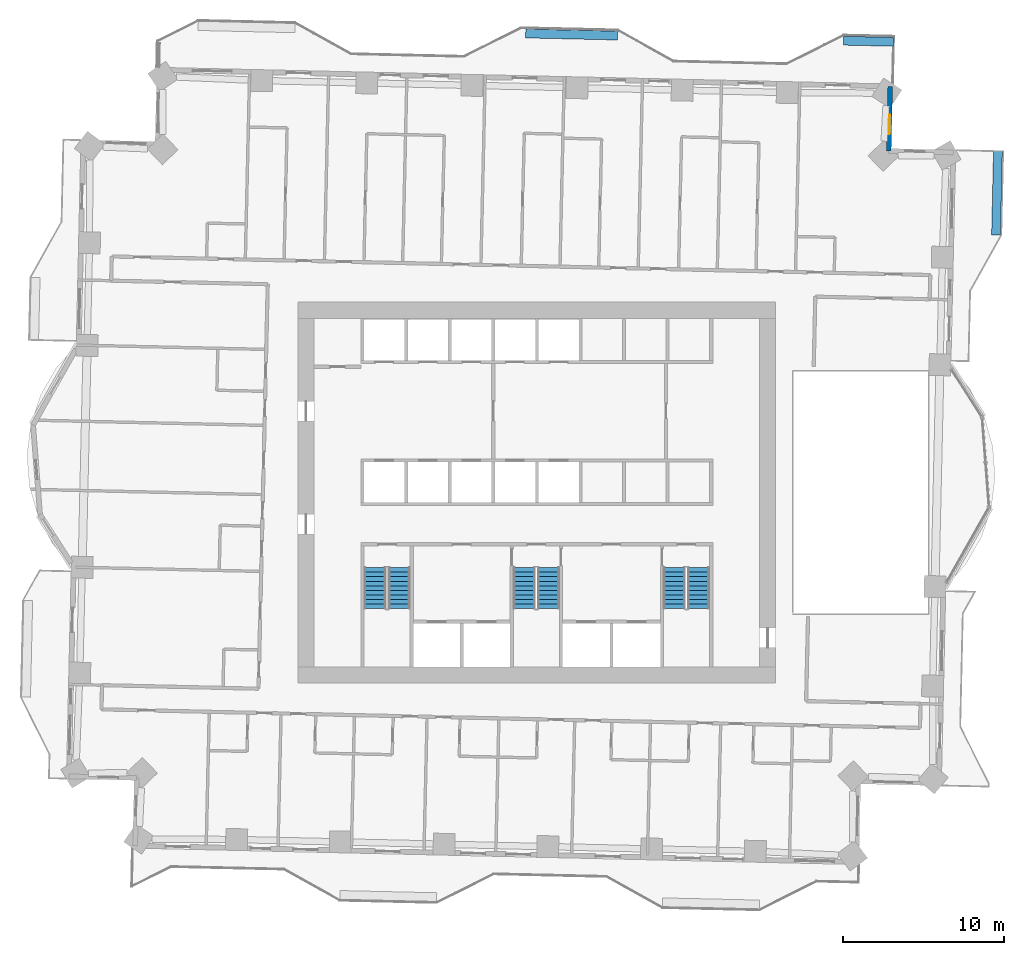
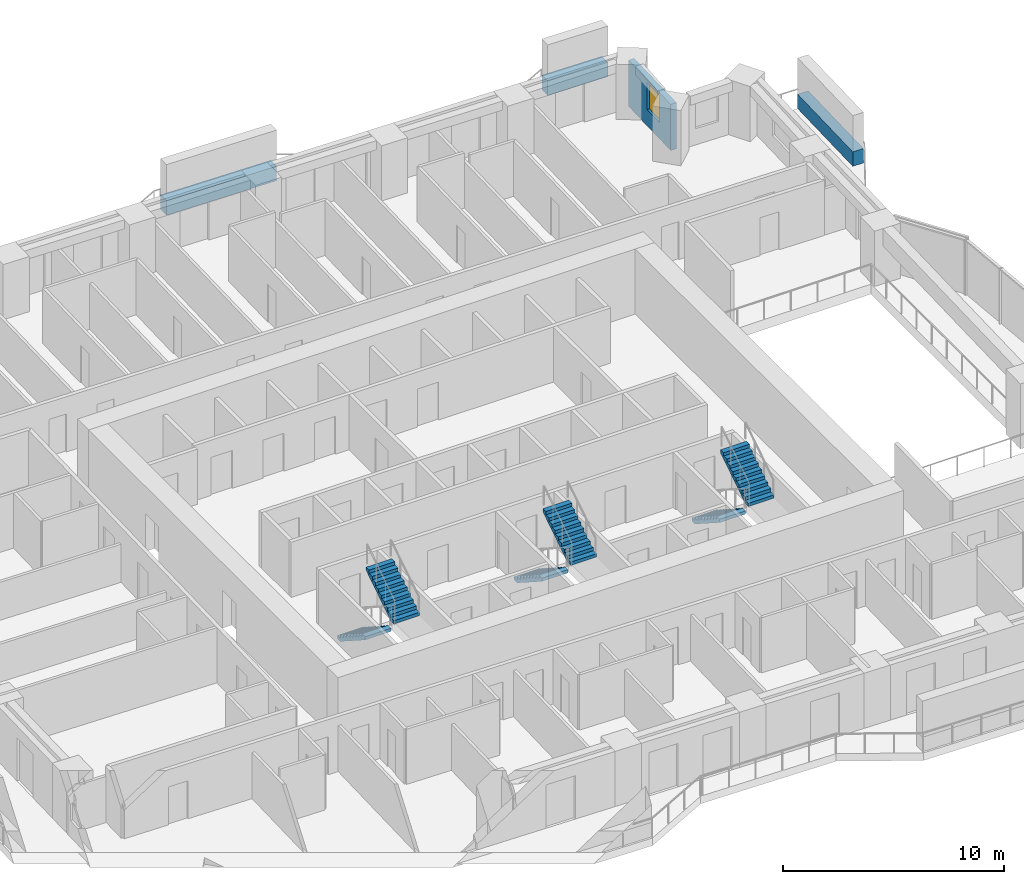
# One storey, part 12 of 16: 6 stair flights, 4 walls, 1 window, 1 opening, 3 elements without a shape of their own.
"""IFC4 building model written with IfcOpenShell, lengths in metres."""

from ifc_helpers import new_model, si_unit, direction, frame, frame_2d, origin, place, context, subcontext, project, spatial, polyline, rectangle, outline, extrude, material, layer, layer_set, type_object, element, fill, aggregate, save


model = new_model("IFC4")

# Units and contexts
model_context = context("Model", 3, precision=1e-05, world=origin(), true_north=direction((0.0, 1.0)))
body_context = subcontext(model_context, "Body", "Model", "MODEL_VIEW")
ifc_project = project(units=[si_unit("LENGTHUNIT", "METRE"), si_unit("AREAUNIT", "SQUARE_METRE"), si_unit("VOLUMEUNIT", "CUBIC_METRE"), si_unit("PLANEANGLEUNIT", "RADIAN"), si_unit("MASSUNIT", "GRAM", prefix="KILO")], contexts=[model_context])

# Site, building, storey
site_placement = place(None, origin())
site = spatial("IfcSite", under=ifc_project, at=site_placement, CompositionType="ELEMENT")
building_placement = place(site_placement, origin())
building = spatial("IfcBuilding", under=site, at=building_placement, Name="Mangrove Gate Tower", CompositionType="ELEMENT")
storey_placement = place(building_placement, frame((0.0, 0.0, 116.300048828125)))
storey = spatial("IfcBuildingStorey", under=building, at=storey_placement, Name="L29", CompositionType="ELEMENT", Elevation=116.300048828125)

# Wall, opening, window
ifc_material_1 = material(Name="Limestone", Category="masonry")
ifc_layer_1 = layer(ifc_material_1, 0.0400390625, Name="Limestone cladding")
ifc_material_2 = material(Name="Ventilated air gap")
ifc_layer_2 = layer(ifc_material_2, 0.0400390625, Name="Ventilated cavity")
ifc_material_3 = material(Name="Mineral wool insulation")
ifc_layer_3 = layer(ifc_material_3, 0.06005859375, Name="Insulation")
ifc_material_4 = material(Name="Breather membrane")
ifc_layer_4 = layer(ifc_material_4, 0.001953125, Name="Breather membrane")
ifc_material_5 = material(Name="Concrete C20/25 blockwork", Category="masonry")
ifc_layer_5 = layer(ifc_material_5, 0.14990234375, Name="Blockwork backing wall")
ifc_material_6 = material(Name="Gypsum plaster")
ifc_layer_6 = layer(ifc_material_6, 0.008056640625, Name="Internal plaster")
ifc_layer_set_1 = layer_set([ifc_layer_1, ifc_layer_2, ifc_layer_3, ifc_layer_4, ifc_layer_5, ifc_layer_6], Name="External wall 300 limestone cladding")
wall_type_1 = type_object("IfcWallType", Name="External wall 300 limestone cladding", PredefinedType="SOLIDWALL", material=ifc_layer_set_1)
wall_1_placement = place(storey_placement, frame((21.802978515625, 21.174072265625, 0.0), z_axis=(0.0, 0.0, 1.0), x_axis=(0.022765770952, 0.999740826251, 0.0)))
wall_1 = element("IfcWall", 1, at=wall_1_placement, inside=storey, type_object=wall_type_1, Name="WALL-L29-E4", PredefinedType="SOLIDWALL", context=body_context, shape_type="SweptSolid", body=[
    extrude(rectangle(XDim=4.0, YDim=0.300048828125, at=frame_2d((2.0, 0.0))), origin(), (0.0, 0.0, 1.0), 2.550048828125),
])
opening_placement = place(wall_1_placement, frame((1.037109375, 0.0, 0.89990234375)))
opening = element("IfcOpeningElement", 2, at=opening_placement, cuts=wall_1, Name="Opening W1", PredefinedType="OPENING", context=body_context, shape_type="SweptSolid", body=[
    extrude(rectangle(XDim=1.199951171875, YDim=1.5, at=frame_2d((0.60009765625, 0.75))), frame((0.0, 0.159912109375, 0.0), z_axis=(0.0, -1.0, 0.0), x_axis=(1.0, 0.0, 0.0)), (0.0, 0.0, 1.0), 0.320068359375),
])
ifc_material_7 = material(Name="Aluminium frame with double-glazed low-e glass", Category="aluminium")
window_type = type_object("IfcWindowType", Name="Side lite 1200x1500", PartitioningType="SINGLE_PANEL", PredefinedType="WINDOW", material=ifc_material_7)
window_placement = place(opening_placement, origin())
window = element("IfcWindow", 3, at=window_placement, inside=storey, type_object=window_type, Name="WIN-L29-E4-1", OverallHeight=1.5, OverallWidth=1.199951171875, PartitioningType="SINGLE_PANEL", PredefinedType="WINDOW", context=body_context, shape_type="SweptSolid", body=[
    extrude(rectangle(XDim=1.199951171875, YDim=1.5, at=frame_2d((0.60009765625, 0.75))), frame((0.0, 0.030029296875, 0.0), z_axis=(0.0, -1.0, 0.0), x_axis=(1.0, 0.0, 0.0)), (0.0, 0.0, 1.0), 0.06005859375),
])
fill(opening, window)

# Walls
ifc_material_8 = material(Name="Concrete C32/40", Category="concrete")
ifc_layer_7 = layer(ifc_material_8, 0.199951171875, Name="Planter trough wall")
ifc_material_9 = material(Name="Bituminous waterproofing membrane")
ifc_layer_8 = layer(ifc_material_9, 0.0048828125, Name="Waterproofing")
ifc_material_10 = material(Name="Drainage board and gravel")
ifc_layer_9 = layer(ifc_material_10, 0.044921875, Name="Drainage layer")
ifc_material_11 = material(Name="Planting soil")
ifc_layer_10 = layer(ifc_material_11, 0.300048828125, Name="Growing medium")
ifc_layer_set_2 = layer_set([ifc_layer_7, ifc_layer_8, ifc_layer_9, ifc_layer_10], Name="Planter wall 550 C32/40")
wall_type_2 = type_object("IfcWallType", Name="Planter wall 550 C32/40", PredefinedType="USERDEFINED", material=ifc_layer_set_2)
wall_2_placement = place(storey_placement, frame((28.451904296875, 15.971923828125, 0.0), z_axis=(0.0, 0.0, 1.0), x_axis=(0.022726738515, 0.999741714322, 0.0)))
element("IfcWall", 4, at=wall_2_placement, inside=storey, type_object=wall_type_2, Name="PLANTER L29 E1.1", ObjectType="PLANTER", PredefinedType="USERDEFINED", context=body_context, shape_type="SweptSolid", body=[
    extrude(rectangle(XDim=5.199462890625, YDim=0.550048828125, at=frame_2d((2.599609375, 0.0))), origin(), (0.0, 0.0, 1.0), 0.800048828125),
])
wall_3_placement = place(storey_placement, frame((-0.69091796875, 28.450927734375, 0.0), z_axis=(0.0, 0.0, 1.0), x_axis=(0.999744196375, -0.022617290187, 0.0)))
element("IfcWall", 5, at=wall_3_placement, inside=storey, type_object=wall_type_2, Name="PLANTER L29 N0.1", ObjectType="PLANTER", PredefinedType="USERDEFINED", context=body_context, shape_type="SweptSolid", body=[
    extrude(rectangle(XDim=5.699462890625, YDim=0.550048828125, at=frame_2d((2.849609375, 0.0))), origin(), (0.0, 0.0, 1.0), 0.800048828125),
])
wall_4_placement = place(storey_placement, frame((19.0029296875, 28.00390625, 0.0), z_axis=(0.0, 0.0, 1.0), x_axis=(0.999747085998, -0.022489198254, 0.0)))
element("IfcWall", 6, at=wall_4_placement, inside=storey, type_object=wall_type_2, Name="PLANTER L29 N0.2", ObjectType="PLANTER", PredefinedType="USERDEFINED", context=body_context, shape_type="SweptSolid", body=[
    extrude(rectangle(XDim=3.104736328125, YDim=0.550048828125, at=frame_2d((1.55224609375, 0.0))), origin(), (0.0, 0.0, 1.0), 0.800048828125),
])

# Stair, stair flights
ifc_material_12 = material(Name="Concrete C40/50", Category="concrete")
stair_type = type_object("IfcStairType", Name="Core stair 1350", PredefinedType="HALF_TURN_STAIR", material=ifc_material_12)
stair_1_placement = place(storey_placement, origin())
stair_1 = element("IfcStair", 7, at=stair_1_placement, inside=storey, type_object=stair_type, Name="L29 Stair 1", PredefinedType="HALF_TURN_STAIR")
ifc_material_13 = material(Name="Concrete C40/50", Category="concrete")
stair_flight_type = type_object("IfcStairFlightType", Name="Core stair flight 1350", PredefinedType="STRAIGHT", material=ifc_material_13)
stair_flight_1_placement = place(storey_placement, frame((-10.02490234375, -4.64990234375, 0.0), z_axis=(0.0, 0.0, 1.0), x_axis=(0.0, -1.0, 0.0)))
stair_flight_1 = element("IfcStairFlight", 8, at=stair_flight_1_placement, type_object=stair_flight_type, Name="ST1 flight 1", NumberOfRisers=10, NumberOfTreads=9, PredefinedType="STRAIGHT", RiserHeight=0.18, TreadLength=0.28, context=body_context, shape_type="SweptSolid", body=[
    extrude(outline(polyline([(0.0, 0.0), (0.0, 0.179931640625), (0.280029296875, 0.179931640625), (0.280029296875, 0.360107421875), (0.56005859375, 0.360107421875), (0.56005859375, 0.5400390625), (0.840087890625, 0.5400390625), (0.840087890625, 0.719970703125), (1.1201171875, 0.719970703125), (1.1201171875, 0.89990234375), (1.39990234375, 0.89990234375), (1.39990234375, 1.080078125), (1.679931640625, 1.080078125), (1.679931640625, 1.260009765625), (1.9599609375, 1.260009765625), (1.9599609375, 1.43994140625), (2.239990234375, 1.43994140625), (2.239990234375, 1.6201171875), (2.52001953125, 1.6201171875), (2.52001953125, 1.800048828125), (2.52001953125, 1.44189453125), (0.277099609375, 0.0), (0.0, 0.0)])), frame((0.0, 0.675048828125, 0.0), z_axis=(0.0, -1.0, 0.0), x_axis=(1.0, 0.0, 0.0)), (0.0, 0.0, 1.0), 1.35009765625),
])
stair_flight_2_placement = place(storey_placement, frame((-8.52490234375, -7.169921875, 1.800048828125), z_axis=(0.0, 0.0, 1.0), x_axis=(0.0, 1.0, 0.0)))
stair_flight_2 = element("IfcStairFlight", 9, at=stair_flight_2_placement, type_object=stair_flight_type, Name="ST1 flight 2", NumberOfRisers=10, NumberOfTreads=9, PredefinedType="STRAIGHT", RiserHeight=0.18, TreadLength=0.28, context=body_context, shape_type="SweptSolid", body=[
    extrude(outline(polyline([(0.0, 0.0), (0.0, 0.179931640625), (0.280029296875, 0.179931640625), (0.280029296875, 0.360107421875), (0.56005859375, 0.360107421875), (0.56005859375, 0.5400390625), (0.840087890625, 0.5400390625), (0.840087890625, 0.719970703125), (1.1201171875, 0.719970703125), (1.1201171875, 0.89990234375), (1.39990234375, 0.89990234375), (1.39990234375, 1.080078125), (1.679931640625, 1.080078125), (1.679931640625, 1.260009765625), (1.9599609375, 1.260009765625), (1.9599609375, 1.43994140625), (2.239990234375, 1.43994140625), (2.239990234375, 1.6201171875), (2.52001953125, 1.6201171875), (2.52001953125, 1.800048828125), (2.52001953125, 1.44189453125), (0.277099609375, 0.0), (0.0, 0.0)])), frame((0.0, 0.675048828125, 0.0), z_axis=(0.0, -1.0, 0.0), x_axis=(1.0, 0.0, 0.0)), (0.0, 0.0, 1.0), 1.35009765625),
])
aggregate(stair_1, [stair_flight_1, stair_flight_2])

stair_2_placement = place(storey_placement, origin())
stair_2 = element("IfcStair", 10, at=stair_2_placement, inside=storey, type_object=stair_type, Name="L29 Stair 2", PredefinedType="HALF_TURN_STAIR")
stair_flight_3_placement = place(storey_placement, frame((-0.77490234375, -4.64990234375, 0.0), z_axis=(0.0, 0.0, 1.0), x_axis=(0.0, -1.0, 0.0)))
stair_flight_3 = element("IfcStairFlight", 11, at=stair_flight_3_placement, type_object=stair_flight_type, Name="ST2 flight 1", NumberOfRisers=10, NumberOfTreads=9, PredefinedType="STRAIGHT", RiserHeight=0.18, TreadLength=0.28, context=body_context, shape_type="SweptSolid", body=[
    extrude(outline(polyline([(0.0, 0.0), (0.0, 0.179931640625), (0.280029296875, 0.179931640625), (0.280029296875, 0.360107421875), (0.56005859375, 0.360107421875), (0.56005859375, 0.5400390625), (0.840087890625, 0.5400390625), (0.840087890625, 0.719970703125), (1.1201171875, 0.719970703125), (1.1201171875, 0.89990234375), (1.39990234375, 0.89990234375), (1.39990234375, 1.080078125), (1.679931640625, 1.080078125), (1.679931640625, 1.260009765625), (1.9599609375, 1.260009765625), (1.9599609375, 1.43994140625), (2.239990234375, 1.43994140625), (2.239990234375, 1.6201171875), (2.52001953125, 1.6201171875), (2.52001953125, 1.800048828125), (2.52001953125, 1.44189453125), (0.277099609375, 0.0), (0.0, 0.0)])), frame((0.0, 0.675048828125, 0.0), z_axis=(0.0, -1.0, 0.0), x_axis=(1.0, 0.0, 0.0)), (0.0, 0.0, 1.0), 1.35009765625),
])
stair_flight_4_placement = place(storey_placement, frame((0.72509765625, -7.169921875, 1.800048828125), z_axis=(0.0, 0.0, 1.0), x_axis=(0.0, 1.0, 0.0)))
stair_flight_4 = element("IfcStairFlight", 12, at=stair_flight_4_placement, type_object=stair_flight_type, Name="ST2 flight 2", NumberOfRisers=10, NumberOfTreads=9, PredefinedType="STRAIGHT", RiserHeight=0.18, TreadLength=0.28, context=body_context, shape_type="SweptSolid", body=[
    extrude(outline(polyline([(0.0, 0.0), (0.0, 0.179931640625), (0.280029296875, 0.179931640625), (0.280029296875, 0.360107421875), (0.56005859375, 0.360107421875), (0.56005859375, 0.5400390625), (0.840087890625, 0.5400390625), (0.840087890625, 0.719970703125), (1.1201171875, 0.719970703125), (1.1201171875, 0.89990234375), (1.39990234375, 0.89990234375), (1.39990234375, 1.080078125), (1.679931640625, 1.080078125), (1.679931640625, 1.260009765625), (1.9599609375, 1.260009765625), (1.9599609375, 1.43994140625), (2.239990234375, 1.43994140625), (2.239990234375, 1.6201171875), (2.52001953125, 1.6201171875), (2.52001953125, 1.800048828125), (2.52001953125, 1.44189453125), (0.277099609375, 0.0), (0.0, 0.0)])), frame((0.0, 0.675048828125, 0.0), z_axis=(0.0, -1.0, 0.0), x_axis=(1.0, 0.0, 0.0)), (0.0, 0.0, 1.0), 1.35009765625),
])
aggregate(stair_2, [stair_flight_3, stair_flight_4])

stair_3_placement = place(storey_placement, origin())
stair_3 = element("IfcStair", 13, at=stair_3_placement, inside=storey, type_object=stair_type, Name="L29 Stair 3", PredefinedType="HALF_TURN_STAIR")
stair_flight_5_placement = place(storey_placement, frame((8.52490234375, -4.64990234375, 0.0), z_axis=(0.0, 0.0, 1.0), x_axis=(0.0, -1.0, 0.0)))
stair_flight_5 = element("IfcStairFlight", 14, at=stair_flight_5_placement, type_object=stair_flight_type, Name="ST3 flight 1", NumberOfRisers=10, NumberOfTreads=9, PredefinedType="STRAIGHT", RiserHeight=0.18, TreadLength=0.28, context=body_context, shape_type="SweptSolid", body=[
    extrude(outline(polyline([(0.0, 0.0), (0.0, 0.179931640625), (0.280029296875, 0.179931640625), (0.280029296875, 0.360107421875), (0.56005859375, 0.360107421875), (0.56005859375, 0.5400390625), (0.840087890625, 0.5400390625), (0.840087890625, 0.719970703125), (1.1201171875, 0.719970703125), (1.1201171875, 0.89990234375), (1.39990234375, 0.89990234375), (1.39990234375, 1.080078125), (1.679931640625, 1.080078125), (1.679931640625, 1.260009765625), (1.9599609375, 1.260009765625), (1.9599609375, 1.43994140625), (2.239990234375, 1.43994140625), (2.239990234375, 1.6201171875), (2.52001953125, 1.6201171875), (2.52001953125, 1.800048828125), (2.52001953125, 1.44189453125), (0.277099609375, 0.0), (0.0, 0.0)])), frame((0.0, 0.675048828125, 0.0), z_axis=(0.0, -1.0, 0.0), x_axis=(1.0, 0.0, 0.0)), (0.0, 0.0, 1.0), 1.35009765625),
])
stair_flight_6_placement = place(storey_placement, frame((10.02490234375, -7.169921875, 1.800048828125), z_axis=(0.0, 0.0, 1.0), x_axis=(0.0, 1.0, 0.0)))
stair_flight_6 = element("IfcStairFlight", 15, at=stair_flight_6_placement, type_object=stair_flight_type, Name="ST3 flight 2", NumberOfRisers=10, NumberOfTreads=9, PredefinedType="STRAIGHT", RiserHeight=0.18, TreadLength=0.28, context=body_context, shape_type="SweptSolid", body=[
    extrude(outline(polyline([(0.0, 0.0), (0.0, 0.179931640625), (0.280029296875, 0.179931640625), (0.280029296875, 0.360107421875), (0.56005859375, 0.360107421875), (0.56005859375, 0.5400390625), (0.840087890625, 0.5400390625), (0.840087890625, 0.719970703125), (1.1201171875, 0.719970703125), (1.1201171875, 0.89990234375), (1.39990234375, 0.89990234375), (1.39990234375, 1.080078125), (1.679931640625, 1.080078125), (1.679931640625, 1.260009765625), (1.9599609375, 1.260009765625), (1.9599609375, 1.43994140625), (2.239990234375, 1.43994140625), (2.239990234375, 1.6201171875), (2.52001953125, 1.6201171875), (2.52001953125, 1.800048828125), (2.52001953125, 1.44189453125), (0.277099609375, 0.0), (0.0, 0.0)])), frame((0.0, 0.675048828125, 0.0), z_axis=(0.0, -1.0, 0.0), x_axis=(1.0, 0.0, 0.0)), (0.0, 0.0, 1.0), 1.35009765625),
])
aggregate(stair_3, [stair_flight_5, stair_flight_6])

save(model, "model.ifc")
